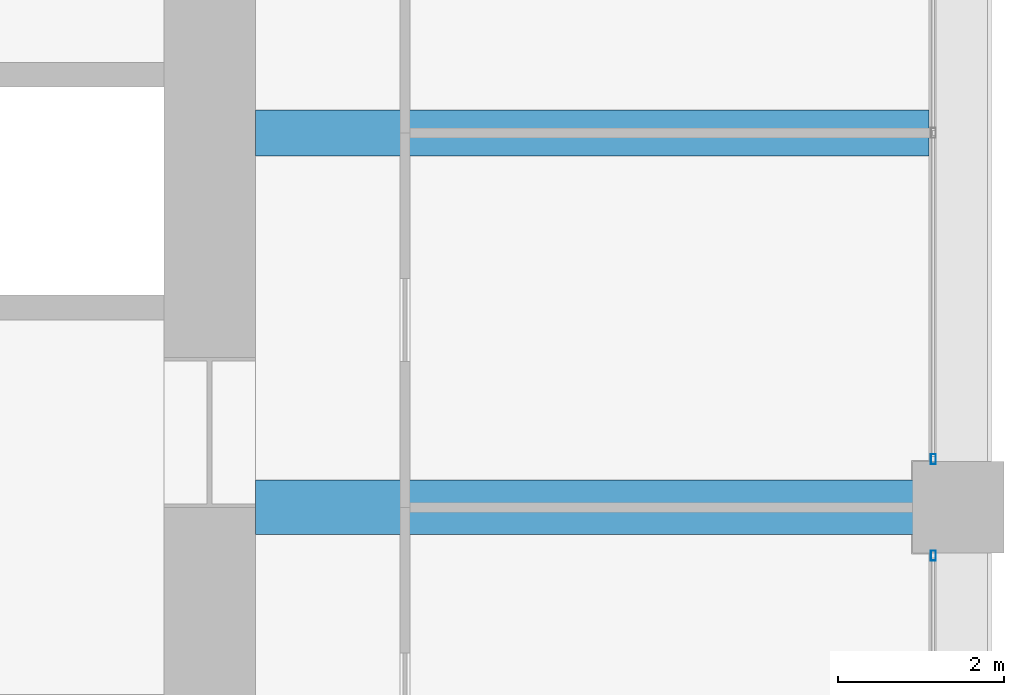
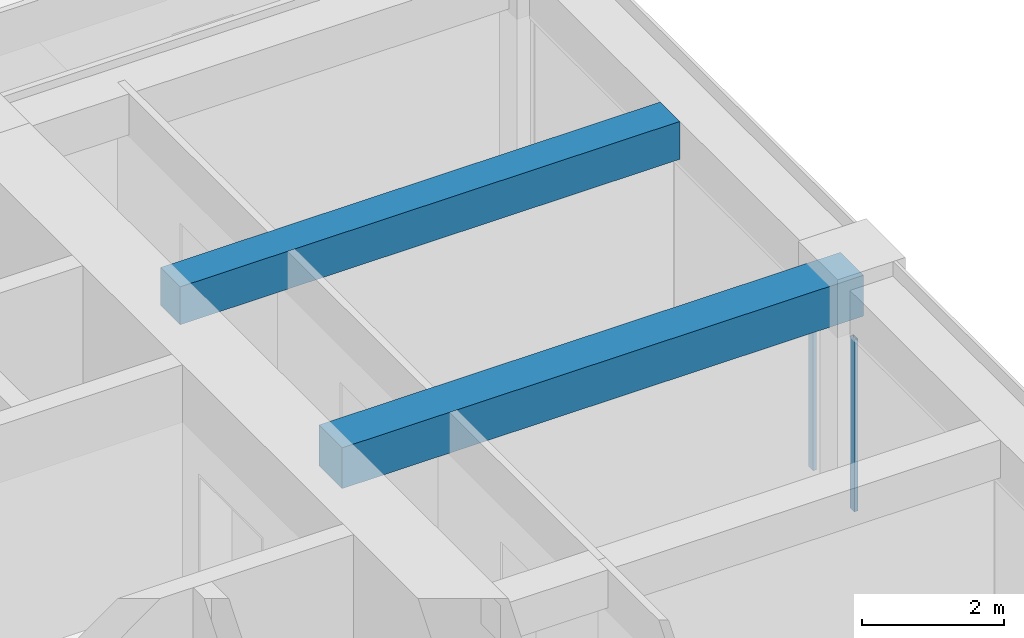
# One storey, part 26 of 44: 2 beams, 2 members, 2 elements without a shape of their own.
"""IFC4 building model written with IfcOpenShell, lengths in metres."""

from ifc_helpers import new_model, si_unit, direction, frame, origin, origin_2d, place, context, subcontext, project, spatial, rectangle, hollow_rectangle, extrude, material, material_profile, profile_set, type_object, element, aggregate, save


model = new_model("IFC4")

# Units and contexts
model_context = context("Model", 3, precision=1e-05, world=origin(), true_north=direction((0.0, 1.0)))
body_context = subcontext(model_context, "Body", "Model", "MODEL_VIEW")
ifc_project = project(units=[si_unit("LENGTHUNIT", "METRE"), si_unit("AREAUNIT", "SQUARE_METRE"), si_unit("VOLUMEUNIT", "CUBIC_METRE"), si_unit("PLANEANGLEUNIT", "RADIAN"), si_unit("MASSUNIT", "GRAM", prefix="KILO")], contexts=[model_context])

# Site, building, storey
site_placement = place(None, origin())
site = spatial("IfcSite", under=ifc_project, at=site_placement, CompositionType="ELEMENT")
building_placement = place(site_placement, origin())
building = spatial("IfcBuilding", under=site, at=building_placement, Name="Zorevar Civic Tower", CompositionType="ELEMENT")
storey_placement = place(building_placement, frame((0.0, 0.0, 271.39990234375)))
storey = spatial("IfcBuildingStorey", under=building, at=storey_placement, Name="L66", CompositionType="ELEMENT", Elevation=271.39990234375)

# Beams
ifc_material_1 = material(Name="Concrete C50/60", Category="concrete")
ifc_material_profile_1 = material_profile(ifc_material_1, rectangle(XDim=0.550048828125, YDim=0.64990234375, at=origin_2d()), Name="RC 550x650")
ifc_profile_set_1 = profile_set([ifc_material_profile_1], Name="Concrete C50/60")
beam_type_1 = type_object("IfcBeamType", Name="Beam RC 550x650", PredefinedType="BEAM", material=ifc_profile_set_1)
beam_1_placement = place(storey_placement, frame((45.550048828125, 31.5, 3.425048828125), z_axis=(1.0, 0.0, 0.0), x_axis=(0.0, 1.0, 0.0)))
element("IfcBeam", 1, at=beam_1_placement, inside=storey, type_object=beam_type_1, Name="Secondary beam L67", PredefinedType="BEAM", context=body_context, shape_type="SweptSolid", body=[
    extrude(rectangle(XDim=0.550048828125, YDim=0.64990234375, at=origin_2d()), origin(), (0.0, 0.0, 1.0), 8.099853515625),
])
ifc_material_2 = material(Name="Concrete C50/60", Category="concrete")
ifc_material_profile_2 = material_profile(ifc_material_2, rectangle(XDim=0.64990234375, YDim=0.699951171875, at=origin_2d()), Name="RC 650x700")
ifc_profile_set_2 = profile_set([ifc_material_profile_2], Name="Concrete C50/60")
beam_type_2 = type_object("IfcBeamType", Name="Beam RC 650x700", PredefinedType="BEAM", material=ifc_profile_set_2)
beam_2_placement = place(storey_placement, frame((45.550048828125, 27.0, 3.400146484375), z_axis=(1.0, 0.0, 0.0), x_axis=(0.0, 1.0, 0.0)))
element("IfcBeam", 2, at=beam_2_placement, inside=storey, type_object=beam_type_2, Name="Girder L67", PredefinedType="BEAM", context=body_context, shape_type="SweptSolid", body=[
    extrude(rectangle(XDim=0.64990234375, YDim=0.699951171875, at=origin_2d()), origin(), (0.0, 0.0, 1.0), 8.449951171875),
])

# Curtain wall, member
ifc_material_3 = material(Name="Dark grey solar-control glass in black aluminium frame", Category="aluminium")
curtain_wall_type = type_object("IfcCurtainWallType", Name="Curtain wall CW5 top zone", PredefinedType="NOTDEFINED", material=ifc_material_3)
curtain_wall_1_placement = place(storey_placement, origin())
curtain_wall_1 = element("IfcCurtainWall", 3, at=curtain_wall_1_placement, inside=storey, type_object=curtain_wall_type, Name="CW5 L66", PredefinedType="NOTDEFINED")
ifc_material_4 = material(Name="Aluminium, black anodised", Category="aluminium")
ifc_material_profile_3 = material_profile(ifc_material_4, hollow_rectangle(XDim=0.06005859375, YDim=0.1201171875, WallThickness=0.0029296875, at=origin_2d()), Name="AL 120x60x3")
ifc_profile_set_3 = profile_set([ifc_material_profile_3], Name="Aluminium, black anodised")
member_type = type_object("IfcMemberType", Name="CW5 mullion AL 120x60x3", PredefinedType="MULLION", material=ifc_profile_set_3)
member_1_placement = place(storey_placement, frame((53.699951171875, 26.419921875, 0.0), z_axis=(0.0, 0.0, 1.0), x_axis=(-1.0, 0.0, 0.0)))
member_1 = element("IfcMember", 4, at=member_1_placement, type_object=member_type, Name="CW5 mullion 3", PredefinedType="MULLION", context=body_context, shape_type="SweptSolid", body=[
    extrude(hollow_rectangle(XDim=0.06005859375, YDim=0.1201171875, WallThickness=0.0029296875, at=origin_2d()), origin(), (0.0, 0.0, 1.0), 2.9501953125),
])
aggregate(curtain_wall_1, [member_1])

curtain_wall_2_placement = place(storey_placement, origin())
curtain_wall_2 = element("IfcCurtainWall", 5, at=curtain_wall_2_placement, inside=storey, type_object=curtain_wall_type, Name="CW5 L66", PredefinedType="NOTDEFINED")
member_2_placement = place(storey_placement, frame((53.699951171875, 27.580078125, 0.0), z_axis=(0.0, 0.0, 1.0), x_axis=(-1.0, 0.0, 0.0)))
member_2 = element("IfcMember", 6, at=member_2_placement, type_object=member_type, Name="CW5 mullion 1", PredefinedType="MULLION", context=body_context, shape_type="SweptSolid", body=[
    extrude(hollow_rectangle(XDim=0.06005859375, YDim=0.1201171875, WallThickness=0.0029296875, at=origin_2d()), origin(), (0.0, 0.0, 1.0), 2.9501953125),
])
aggregate(curtain_wall_2, [member_2])

save(model, "model.ifc")
